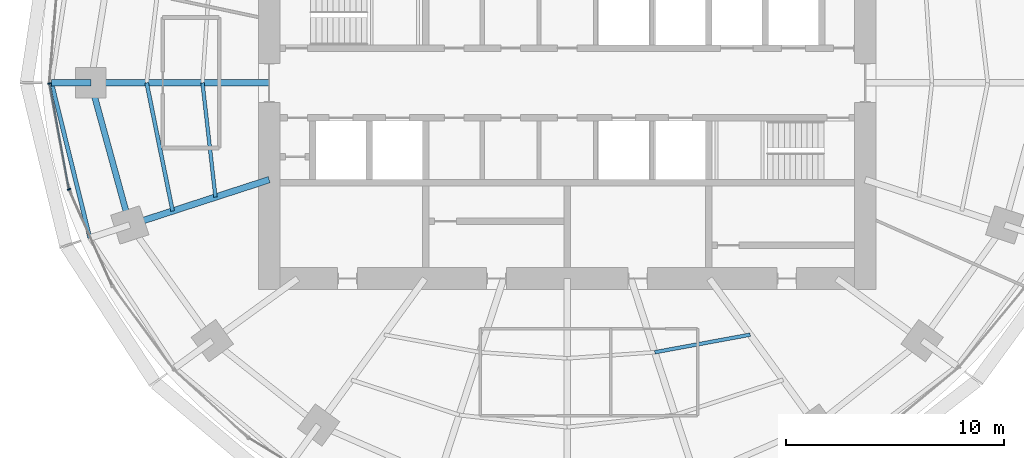
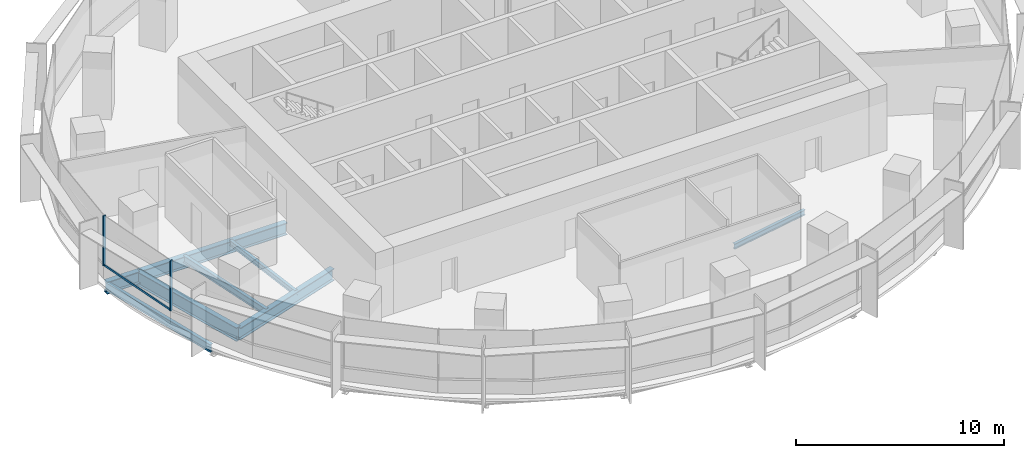
# One storey, part 3 of 14: 8 beams, 3 members, 1 element without a shape of its own.
"""IFC4 building model written with IfcOpenShell, lengths in metres."""

from ifc_helpers import new_model, si_unit, direction, frame, origin, origin_2d, place, context, subcontext, project, spatial, rectangle, i_section, extrude, material, material_profile, profile_set, type_object, element, aggregate, save


model = new_model("IFC4")

# Units and contexts
model_context = context("Model", 3, precision=1e-05, world=origin(), true_north=direction((0.0, 1.0)))
body_context = subcontext(model_context, "Body", "Model", "MODEL_VIEW")
ifc_project = project(units=[si_unit("LENGTHUNIT", "METRE"), si_unit("AREAUNIT", "SQUARE_METRE"), si_unit("VOLUMEUNIT", "CUBIC_METRE"), si_unit("PLANEANGLEUNIT", "RADIAN"), si_unit("MASSUNIT", "GRAM", prefix="KILO")], contexts=[model_context])

# Site, building, storey
site_placement = place(None, origin())
site = spatial("IfcSite", under=ifc_project, at=site_placement, CompositionType="ELEMENT")
building_placement = place(site_placement, origin())
building = spatial("IfcBuilding", under=site, at=building_placement, Name="Marramba Exchange Tower", CompositionType="ELEMENT")
storey_placement = place(building_placement, frame((0.0, 0.0, 222.800048828125)))
storey = spatial("IfcBuildingStorey", under=building, at=storey_placement, Name="L54", CompositionType="ELEMENT", Elevation=222.800048828125)

# Beams
ifc_material_1 = material(Name="Steel AS/NZS 3679.2 grade 300", Category="steel")
ifc_material_profile_1 = material_profile(ifc_material_1, i_section(OverallWidth=0.300048828125, OverallDepth=0.699951171875, WebThickness=0.010009765625, FlangeThickness=0.031982421875, at=origin_2d()), Name="700WB173")
ifc_profile_set_1 = profile_set([ifc_material_profile_1], Name="Steel AS/NZS 3679.2 grade 300")
beam_type_1 = type_object("IfcBeamType", Name="Cantilever girder 700WB173", PredefinedType="BEAM", material=ifc_profile_set_1)
beam_1_placement = place(storey_placement, frame((-21.89990234375, 0.0, -0.510009765625), z_axis=(-1.0, 0.0, 0.0), x_axis=(0.0, -1.0, 0.0)))
element("IfcBeam", 1, at=beam_1_placement, inside=storey, type_object=beam_type_1, Name="Cantilever girder L54 TC11", PredefinedType="BEAM", context=body_context, shape_type="SweptSolid", body=[
    extrude(i_section(OverallWidth=0.300048828125, OverallDepth=0.699951171875, WebThickness=0.010009765625, FlangeThickness=0.031982421875, at=origin_2d()), origin(), (0.0, 0.0, 1.0), 1.80615234375),
])
ifc_material_2 = material(Name="Steel AS/NZS 3679.1 grade 300", Category="steel")
ifc_material_profile_2 = material_profile(ifc_material_2, i_section(OverallWidth=0.166015625, OverallDepth=0.306884765625, WebThickness=0.006591796875, FlangeThickness=0.01171875, FilletRadius=0.011474609375, at=origin_2d()), Name="310UB46.2")
ifc_profile_set_2 = profile_set([ifc_material_profile_2], Name="Steel AS/NZS 3679.1 grade 300")
beam_type_2 = type_object("IfcBeamType", Name="Floor joist 310UB46.2", PredefinedType="JOIST", material=ifc_profile_set_2)
beam_2_placement = place(storey_placement, frame((-16.7666015625, 0.0, -0.3134765625), z_axis=(0.112888968594, -0.993607609054, 0.0), x_axis=(0.993607609054, 0.112888968594, 0.0)))
element("IfcBeam", 2, at=beam_2_placement, inside=storey, type_object=beam_type_2, Name="Joist L54 bay 11 row 1", PredefinedType="JOIST", context=body_context, shape_type="SweptSolid", body=[
    extrude(i_section(OverallWidth=0.166015625, OverallDepth=0.306884765625, WebThickness=0.006591796875, FlangeThickness=0.01171875, FilletRadius=0.011474609375, at=origin_2d()), origin(), (0.0, 0.0, 1.0), 5.28759765625),
])
beam_3_placement = place(storey_placement, frame((4.0244140625, -12.3857421875, -0.3134765625), z_axis=(0.983455754421, 0.181148500119, 0.0), x_axis=(-0.181148500119, 0.983455754421, 0.0)))
element("IfcBeam", 3, at=beam_3_placement, inside=storey, type_object=beam_type_2, Name="Joist L54 bay 17 row 1", PredefinedType="JOIST", context=body_context, shape_type="SweptSolid", body=[
    extrude(i_section(OverallWidth=0.166015625, OverallDepth=0.306884765625, WebThickness=0.006591796875, FlangeThickness=0.01171875, FilletRadius=0.011474609375, at=origin_2d()), origin(), (0.0, 0.0, 1.0), 4.4609375),
])
ifc_material_profile_3 = material_profile(ifc_material_2, i_section(OverallWidth=0.177978515625, OverallDepth=0.406005859375, WebThickness=0.0078125, FlangeThickness=0.0126953125, FilletRadius=0.011474609375, at=origin_2d()), Name="410UB59.7")
ifc_profile_set_3 = profile_set([ifc_material_profile_3], Name="Steel AS/NZS 3679.1 grade 300")
beam_type_3 = type_object("IfcBeamType", Name="Floor joist 410UB59.7", PredefinedType="JOIST", material=ifc_profile_set_3)
beam_4_placement = place(storey_placement, frame((-19.333251953125, 0.0, -0.363037109375), z_axis=(0.198489047047, -0.980103105904, 0.0), x_axis=(0.980103105904, 0.198489047047, 0.0)))
element("IfcBeam", 4, at=beam_4_placement, inside=storey, type_object=beam_type_3, Name="Joist L54 bay 11 row 2", PredefinedType="JOIST", context=body_context, shape_type="SweptSolid", body=[
    extrude(i_section(OverallWidth=0.177978515625, OverallDepth=0.406005859375, WebThickness=0.0078125, FlangeThickness=0.0126953125, FilletRadius=0.011474609375, at=origin_2d()), origin(), (0.0, 0.0, 1.0), 6.013427734375),
])

# Curtain wall, members
ifc_material_3 = material(Name="Aluminium framing, bronze anodised", Category="aluminium")
curtain_wall_type = type_object("IfcCurtainWallType", Name="Office ribbon curtain wall", PredefinedType="USERDEFINED", material=ifc_material_3)
curtain_wall_placement = place(storey_placement, origin())
curtain_wall = element("IfcCurtainWall", 5, at=curtain_wall_placement, inside=storey, type_object=curtain_wall_type, Name="Curtain wall CW4 L54 F16-F20", ObjectType="RIBBON CURTAIN WALL", PredefinedType="USERDEFINED")
ifc_material_4 = material(Name="Aluminium mullion, bronze anodised", Category="aluminium")
ifc_material_profile_4 = material_profile(ifc_material_4, rectangle(XDim=0.159912109375, YDim=0.06005859375, at=origin_2d()), Name="CW4 mullion 60x160")
ifc_profile_set_4 = profile_set([ifc_material_profile_4], Name="Aluminium mullion, bronze anodised")
member_type_1 = type_object("IfcMemberType", Name="Office ribbon curtain wall mullion", PredefinedType="MULLION", material=ifc_profile_set_4)
member_1_placement = place(storey_placement, frame((-23.800537109375, -0.029541015625, 0.800048828125), z_axis=(0.0, 0.0, 1.0), x_axis=(0.983606636184, 0.180327438996, 0.0)))
member_1 = element("IfcMember", 6, at=member_1_placement, type_object=member_type_1, Name="CW4 mullion 1", PredefinedType="MULLION", context=body_context, shape_type="SweptSolid", body=[
    extrude(rectangle(XDim=0.159912109375, YDim=0.06005859375, at=origin_2d()), origin(), (0.0, 0.0, 1.0), 2.93994140625),
])
member_2_placement = place(storey_placement, frame((-22.90087890625, -4.897705078125, 0.800048828125), z_axis=(0.0, 0.0, 1.0), x_axis=(0.913179510401, 0.407557580942, 0.0)))
member_2 = element("IfcMember", 7, at=member_2_placement, type_object=member_type_1, Name="CW4 mullion 1", PredefinedType="MULLION", context=body_context, shape_type="SweptSolid", body=[
    extrude(rectangle(XDim=0.159912109375, YDim=0.06005859375, at=origin_2d()), origin(), (0.0, 0.0, 1.0), 2.93994140625),
])
ifc_material_5 = material(Name="Aluminium transom, bronze anodised", Category="aluminium")
ifc_material_profile_5 = material_profile(ifc_material_5, rectangle(XDim=0.06005859375, YDim=0.1201171875, at=origin_2d()), Name="CW4 transom 60x120")
ifc_profile_set_5 = profile_set([ifc_material_profile_5], Name="Aluminium transom, bronze anodised")
member_type_2 = type_object("IfcMemberType", Name="Office ribbon curtain wall transom", PredefinedType="USERDEFINED", material=ifc_profile_set_5)
member_3_placement = place(storey_placement, frame((-23.795166015625, -0.05908203125, 0.829833984375), z_axis=(0.180330283276, -0.98360611473, 0.0), x_axis=(0.98360611473, 0.180330283276, 0.0)))
member_3 = element("IfcMember", 8, at=member_3_placement, type_object=member_type_2, Name="CW4 sill transom", ObjectType="TRANSOM", PredefinedType="USERDEFINED", context=body_context, shape_type="SweptSolid", body=[
    extrude(rectangle(XDim=0.06005859375, YDim=0.1201171875, at=origin_2d()), origin(), (0.0, 0.0, 1.0), 4.891357421875),
])
aggregate(curtain_wall, [member_1, member_3, member_2])

# Beams
ifc_material_profile_6 = material_profile(ifc_material_1, i_section(OverallWidth=0.300048828125, OverallDepth=0.699951171875, WebThickness=0.010009765625, FlangeThickness=0.031982421875, at=origin_2d()), Name="700WB173")
ifc_profile_set_6 = profile_set([ifc_material_profile_6], Name="Steel AS/NZS 3679.2 grade 300")
beam_type_4 = type_object("IfcBeamType", Name="Radial girder 700WB173", PredefinedType="BEAM", material=ifc_profile_set_6)
beam_5_placement = place(storey_placement, frame((-13.699951171875, 0.0, -0.510009765625), z_axis=(-1.0, 0.0, 0.0), x_axis=(0.0, -1.0, 0.0)))
element("IfcBeam", 9, at=beam_5_placement, inside=storey, type_object=beam_type_4, Name="Radial girder L54 TC11", PredefinedType="BEAM", context=body_context, shape_type="SweptSolid", body=[
    extrude(i_section(OverallWidth=0.300048828125, OverallDepth=0.699951171875, WebThickness=0.010009765625, FlangeThickness=0.031982421875, at=origin_2d()), origin(), (0.0, 0.0, 1.0), 8.199951171875),
])
beam_6_placement = place(storey_placement, frame((-13.699951171875, -4.451416015625, -0.510009765625), z_axis=(-0.951057759669, -0.309013167637, 0.0), x_axis=(0.309013167637, -0.951057759669, 0.0)))
element("IfcBeam", 10, at=beam_6_placement, inside=storey, type_object=beam_type_4, Name="Radial girder L54 TC12", PredefinedType="BEAM", context=body_context, shape_type="SweptSolid", body=[
    extrude(i_section(OverallWidth=0.300048828125, OverallDepth=0.699951171875, WebThickness=0.010009765625, FlangeThickness=0.031982421875, at=origin_2d()), origin(), (0.0, 0.0, 1.0), 6.7392578125),
])
ifc_material_profile_7 = material_profile(ifc_material_1, i_section(OverallWidth=0.27490234375, OverallDepth=0.800048828125, WebThickness=0.010009765625, FlangeThickness=0.02490234375, at=origin_2d()), Name="800WB168")
ifc_profile_set_7 = profile_set([ifc_material_profile_7], Name="Steel AS/NZS 3679.2 grade 300")
beam_type_5 = type_object("IfcBeamType", Name="Ring beam 800WB168", PredefinedType="SPANDREL", material=ifc_profile_set_7)
beam_7_placement = place(storey_placement, frame((-21.89990234375, 0.0, -0.56005859375), z_axis=(0.264291166956, -0.964442937176, 0.0), x_axis=(0.964442937176, 0.264291166956, 0.0)))
element("IfcBeam", 11, at=beam_7_placement, inside=storey, type_object=beam_type_5, Name="Ring beam L54 TC11-TC12", PredefinedType="SPANDREL", context=body_context, shape_type="SweptSolid", body=[
    extrude(i_section(OverallWidth=0.27490234375, OverallDepth=0.800048828125, WebThickness=0.010009765625, FlangeThickness=0.02490234375, at=origin_2d()), origin(), (0.0, 0.0, 1.0), 6.77490234375),
])
ifc_material_profile_8 = material_profile(ifc_material_2, i_section(OverallWidth=0.19091796875, OverallDepth=0.4599609375, WebThickness=0.010009765625, FlangeThickness=0.01611328125, FilletRadius=0.011474609375, at=origin_2d()), Name="460UB82.1")
ifc_profile_set_8 = profile_set([ifc_material_profile_8], Name="Steel AS/NZS 3679.1 grade 300")
beam_type_6 = type_object("IfcBeamType", Name="Slab edge beam 460UB82.1", PredefinedType="SPANDREL", material=ifc_profile_set_8)
beam_8_placement = place(storey_placement, frame((-23.7060546875, 0.0, -0.39013671875), z_axis=(0.23973454413, -0.970838476963, 0.0), x_axis=(0.970838476963, 0.23973454413, 0.0)))
element("IfcBeam", 12, at=beam_8_placement, inside=storey, type_object=beam_type_6, Name="Slab edge beam L54 TC11-TC12", PredefinedType="SPANDREL", context=body_context, shape_type="SweptSolid", body=[
    extrude(i_section(OverallWidth=0.19091796875, OverallDepth=0.4599609375, WebThickness=0.010009765625, FlangeThickness=0.01611328125, FilletRadius=0.011474609375, at=origin_2d()), origin(), (0.0, 0.0, 1.0), 7.344482421875),
])

save(model, "model.ifc")
